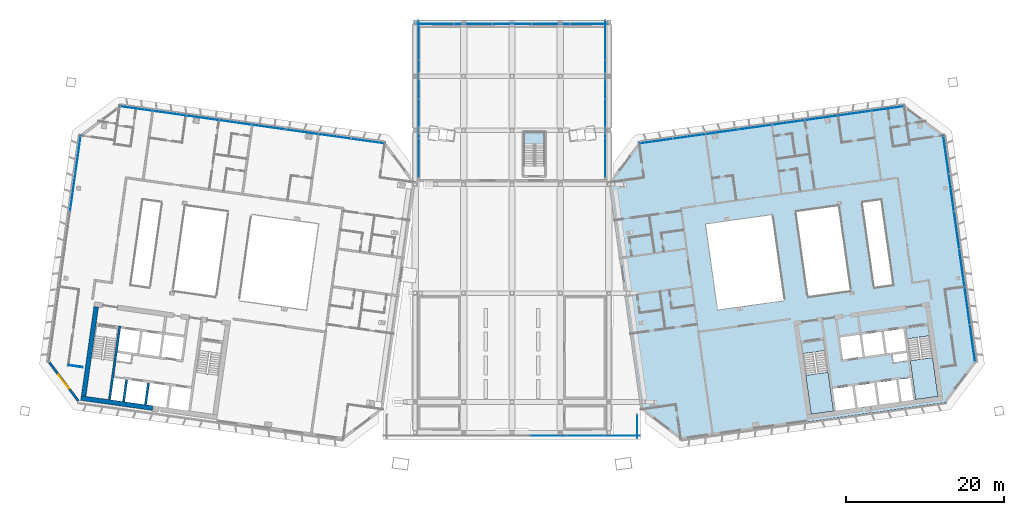
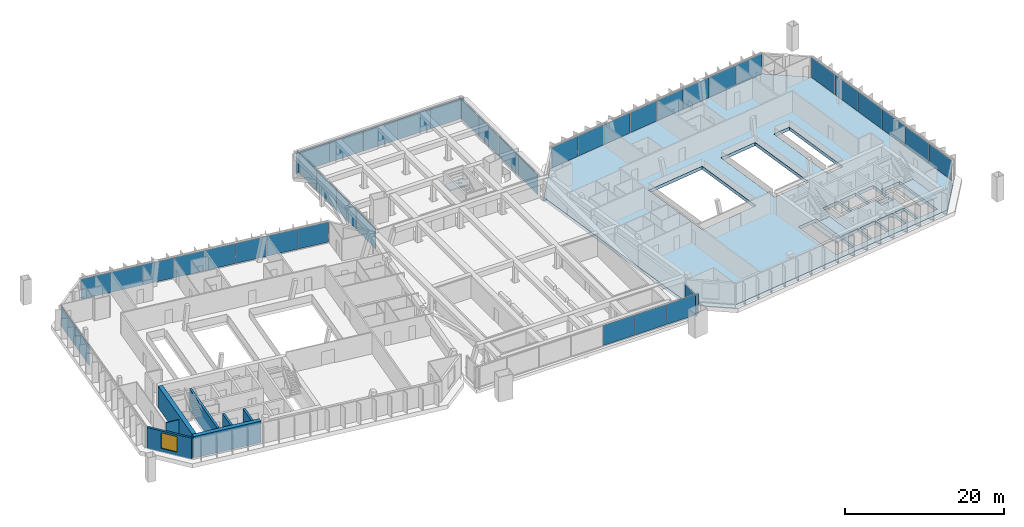
# One storey, part 14 of 25: 41 plates, 7 walls, 4 slabs, 1 window, 1 opening, 12 elements without a shape of their own.
"""IFC4 building model written with IfcOpenShell, lengths in metres."""

from ifc_helpers import new_model, si_unit, direction, frame, frame_2d, origin, origin_2d, place, context, subcontext, project, spatial, polyline, rectangle, outline, extrude, material, layer, layer_set, type_object, element, fill, aggregate, save


model = new_model("IFC4")

# Units and contexts
model_context = context("Model", 3, precision=1e-05, world=origin(), true_north=direction((0.0, 1.0)))
body_context = subcontext(model_context, "Body", "Model", "MODEL_VIEW")
ifc_project = project(units=[si_unit("LENGTHUNIT", "METRE"), si_unit("AREAUNIT", "SQUARE_METRE"), si_unit("VOLUMEUNIT", "CUBIC_METRE"), si_unit("PLANEANGLEUNIT", "RADIAN"), si_unit("MASSUNIT", "GRAM", prefix="KILO")], contexts=[model_context])

# Site, building, storey
site_placement = place(None, origin())
site = spatial("IfcSite", under=ifc_project, at=site_placement, CompositionType="ELEMENT")
building_placement = place(site_placement, origin())
building = spatial("IfcBuilding", under=site, at=building_placement, Name="Mirante Cascada Hotel Towers", CompositionType="ELEMENT")
storey_placement = place(building_placement, frame((0.0, 0.0, 266.0)))
storey = spatial("IfcBuildingStorey", under=building, at=storey_placement, Name="L64", CompositionType="ELEMENT", Elevation=266.0)

# Curtain wall, plates
ifc_material_1 = material(Name="Aluminium mullion and transom frame with clear laminated glass", Category="aluminium")
curtain_wall_type_1 = type_object("IfcCurtainWallType", Name="Ribbon curtain wall ECW1", PredefinedType="NOTDEFINED", material=ifc_material_1)
curtain_wall_1_placement = place(storey_placement, origin())
curtain_wall_1 = element("IfcCurtainWall", 1, at=curtain_wall_1_placement, inside=storey, type_object=curtain_wall_type_1, Name="Front ribbon wall T1 L64", PredefinedType="NOTDEFINED")
ifc_material_2 = material(Name="Clear laminated glass", Category="glass")
ifc_layer_1 = layer(ifc_material_2, 0.036)
ifc_layer_set_1 = layer_set([ifc_layer_1], Name="ECW1 glass panel 36")
plate_type_1 = type_object("IfcPlateType", Name="ECW1 glass panel 36", PredefinedType="CURTAIN_PANEL", material=ifc_layer_set_1)
plate_1_placement = place(storey_placement, frame((-47.4905, 19.4934, 0.1), z_axis=(0.0, 0.0, 1.0), x_axis=(0.9902681, -0.1391731, 0.0)))
plate_1 = element("IfcPlate", 2, at=plate_1_placement, type_object=plate_type_1, Name="ECW1 panel 1", PredefinedType="CURTAIN_PANEL", context=body_context, shape_type="SweptSolid", body=[
    extrude(rectangle(XDim=4.1226, YDim=0.036, at=origin_2d()), origin(), (0.0, 0.0, 1.0), 3.1),
])
plate_2_placement = place(storey_placement, frame((-43.3275, 18.9083, 0.1), z_axis=(0.0, 0.0, 1.0), x_axis=(0.9902681, -0.1391731, 0.0)))
plate_2 = element("IfcPlate", 3, at=plate_2_placement, type_object=plate_type_1, Name="ECW1 panel 2", PredefinedType="CURTAIN_PANEL", context=body_context, shape_type="SweptSolid", body=[
    extrude(rectangle(XDim=4.1551, YDim=0.036, at=origin_2d()), origin(), (0.0, 0.0, 1.0), 3.1),
])
plate_3_placement = place(storey_placement, frame((-39.1485, 18.321, 0.1), z_axis=(0.0, 0.0, 1.0), x_axis=(0.9902681, -0.1391731, 0.0)))
plate_3 = element("IfcPlate", 4, at=plate_3_placement, type_object=plate_type_1, Name="ECW1 panel 3", PredefinedType="CURTAIN_PANEL", context=body_context, shape_type="SweptSolid", body=[
    extrude(rectangle(XDim=4.1551, YDim=0.036, at=origin_2d()), origin(), (0.0, 0.0, 1.0), 3.1),
])
plate_4_placement = place(storey_placement, frame((-34.9694, 17.7337, 0.1), z_axis=(0.0, 0.0, 1.0), x_axis=(0.9902681, -0.1391731, 0.0)))
plate_4 = element("IfcPlate", 5, at=plate_4_placement, type_object=plate_type_1, Name="ECW1 panel 4", PredefinedType="CURTAIN_PANEL", context=body_context, shape_type="SweptSolid", body=[
    extrude(rectangle(XDim=4.1551, YDim=0.036, at=origin_2d()), origin(), (0.0, 0.0, 1.0), 3.1),
])
plate_5_placement = place(storey_placement, frame((-30.7904, 17.1463, 0.1), z_axis=(0.0, 0.0, 1.0), x_axis=(0.9902681, -0.1391731, 0.0)))
plate_5 = element("IfcPlate", 6, at=plate_5_placement, type_object=plate_type_1, Name="ECW1 panel 5", PredefinedType="CURTAIN_PANEL", context=body_context, shape_type="SweptSolid", body=[
    extrude(rectangle(XDim=4.1551, YDim=0.036, at=origin_2d()), origin(), (0.0, 0.0, 1.0), 3.1),
])
plate_6_placement = place(storey_placement, frame((-26.6113, 16.559, 0.1), z_axis=(0.0, 0.0, 1.0), x_axis=(0.9902681, -0.1391731, 0.0)))
plate_6 = element("IfcPlate", 7, at=plate_6_placement, type_object=plate_type_1, Name="ECW1 panel 6", PredefinedType="CURTAIN_PANEL", context=body_context, shape_type="SweptSolid", body=[
    extrude(rectangle(XDim=4.1551, YDim=0.036, at=origin_2d()), origin(), (0.0, 0.0, 1.0), 3.1),
])
plate_7_placement = place(storey_placement, frame((-22.4323, 15.9717, 0.1), z_axis=(0.0, 0.0, 1.0), x_axis=(0.9902681, -0.1391731, 0.0)))
plate_7 = element("IfcPlate", 8, at=plate_7_placement, type_object=plate_type_1, Name="ECW1 panel 7", PredefinedType="CURTAIN_PANEL", context=body_context, shape_type="SweptSolid", body=[
    extrude(rectangle(XDim=4.1551, YDim=0.036, at=origin_2d()), origin(), (0.0, 0.0, 1.0), 3.1),
])
plate_8_placement = place(storey_placement, frame((-18.2693, 15.3866, 0.1), z_axis=(0.0, 0.0, 1.0), x_axis=(0.9902681, -0.1391731, 0.0)))
plate_8 = element("IfcPlate", 9, at=plate_8_placement, type_object=plate_type_1, Name="ECW1 panel 8", PredefinedType="CURTAIN_PANEL", context=body_context, shape_type="SweptSolid", body=[
    extrude(rectangle(XDim=4.1226, YDim=0.036, at=origin_2d()), origin(), (0.0, 0.0, 1.0), 3.1),
])
aggregate(curtain_wall_1, [plate_1, plate_2, plate_3, plate_4, plate_5, plate_6, plate_7, plate_8])

curtain_wall_2_placement = place(storey_placement, origin())
curtain_wall_2 = element("IfcCurtainWall", 10, at=curtain_wall_2_placement, inside=storey, type_object=curtain_wall_type_1, Name="Front ribbon wall T2 L64", PredefinedType="NOTDEFINED")
plate_9_placement = place(storey_placement, frame((47.4905, 19.4934, 0.1), z_axis=(0.0, 0.0, 1.0), x_axis=(-0.9902681, -0.1391731, 0.0)))
plate_9 = element("IfcPlate", 11, at=plate_9_placement, type_object=plate_type_1, Name="ECW1 panel 1", PredefinedType="CURTAIN_PANEL", context=body_context, shape_type="SweptSolid", body=[
    extrude(rectangle(XDim=4.1226, YDim=0.036, at=origin_2d()), origin(), (0.0, 0.0, 1.0), 3.1),
])
plate_10_placement = place(storey_placement, frame((43.3275, 18.9083, 0.1), z_axis=(0.0, 0.0, 1.0), x_axis=(-0.9902681, -0.1391731, 0.0)))
plate_10 = element("IfcPlate", 12, at=plate_10_placement, type_object=plate_type_1, Name="ECW1 panel 2", PredefinedType="CURTAIN_PANEL", context=body_context, shape_type="SweptSolid", body=[
    extrude(rectangle(XDim=4.1551, YDim=0.036, at=origin_2d()), origin(), (0.0, 0.0, 1.0), 3.1),
])
plate_11_placement = place(storey_placement, frame((39.1485, 18.321, 0.1), z_axis=(0.0, 0.0, 1.0), x_axis=(-0.9902681, -0.1391731, 0.0)))
plate_11 = element("IfcPlate", 13, at=plate_11_placement, type_object=plate_type_1, Name="ECW1 panel 3", PredefinedType="CURTAIN_PANEL", context=body_context, shape_type="SweptSolid", body=[
    extrude(rectangle(XDim=4.1551, YDim=0.036, at=origin_2d()), origin(), (0.0, 0.0, 1.0), 3.1),
])
plate_12_placement = place(storey_placement, frame((34.9694, 17.7337, 0.1), z_axis=(0.0, 0.0, 1.0), x_axis=(-0.9902681, -0.1391731, 0.0)))
plate_12 = element("IfcPlate", 14, at=plate_12_placement, type_object=plate_type_1, Name="ECW1 panel 4", PredefinedType="CURTAIN_PANEL", context=body_context, shape_type="SweptSolid", body=[
    extrude(rectangle(XDim=4.1551, YDim=0.036, at=origin_2d()), origin(), (0.0, 0.0, 1.0), 3.1),
])
plate_13_placement = place(storey_placement, frame((30.7904, 17.1463, 0.1), z_axis=(0.0, 0.0, 1.0), x_axis=(-0.9902681, -0.1391731, 0.0)))
plate_13 = element("IfcPlate", 15, at=plate_13_placement, type_object=plate_type_1, Name="ECW1 panel 5", PredefinedType="CURTAIN_PANEL", context=body_context, shape_type="SweptSolid", body=[
    extrude(rectangle(XDim=4.1551, YDim=0.036, at=origin_2d()), origin(), (0.0, 0.0, 1.0), 3.1),
])
plate_14_placement = place(storey_placement, frame((26.6113, 16.559, 0.1), z_axis=(0.0, 0.0, 1.0), x_axis=(-0.9902681, -0.1391731, 0.0)))
plate_14 = element("IfcPlate", 16, at=plate_14_placement, type_object=plate_type_1, Name="ECW1 panel 6", PredefinedType="CURTAIN_PANEL", context=body_context, shape_type="SweptSolid", body=[
    extrude(rectangle(XDim=4.1551, YDim=0.036, at=origin_2d()), origin(), (0.0, 0.0, 1.0), 3.1),
])
plate_15_placement = place(storey_placement, frame((22.4323, 15.9717, 0.1), z_axis=(0.0, 0.0, 1.0), x_axis=(-0.9902681, -0.1391731, 0.0)))
plate_15 = element("IfcPlate", 17, at=plate_15_placement, type_object=plate_type_1, Name="ECW1 panel 7", PredefinedType="CURTAIN_PANEL", context=body_context, shape_type="SweptSolid", body=[
    extrude(rectangle(XDim=4.1551, YDim=0.036, at=origin_2d()), origin(), (0.0, 0.0, 1.0), 3.1),
])
plate_16_placement = place(storey_placement, frame((18.2693, 15.3866, 0.1), z_axis=(0.0, 0.0, 1.0), x_axis=(-0.9902681, -0.1391731, 0.0)))
plate_16 = element("IfcPlate", 18, at=plate_16_placement, type_object=plate_type_1, Name="ECW1 panel 8", PredefinedType="CURTAIN_PANEL", context=body_context, shape_type="SweptSolid", body=[
    extrude(rectangle(XDim=4.1226, YDim=0.036, at=origin_2d()), origin(), (0.0, 0.0, 1.0), 3.1),
])
aggregate(curtain_wall_2, [plate_9, plate_10, plate_11, plate_12, plate_13, plate_14, plate_15, plate_16])

ifc_material_3 = material(Name="Aluminium mullion and transom frame with clear laminated glass", Category="aluminium")
curtain_wall_type_2 = type_object("IfcCurtainWallType", Name="End ribbon curtain wall ECW2", PredefinedType="NOTDEFINED", material=ifc_material_3)
curtain_wall_3_placement = place(storey_placement, origin())
curtain_wall_3 = element("IfcCurtainWall", 19, at=curtain_wall_3_placement, inside=storey, type_object=curtain_wall_type_2, Name="Outer end wall T1 L64", PredefinedType="NOTDEFINED")
ifc_material_4 = material(Name="Clear laminated glass", Category="glass")
ifc_layer_2 = layer(ifc_material_4, 0.034)
ifc_layer_set_2 = layer_set([ifc_layer_2], Name="ECW2 glass panel 34")
plate_type_2 = type_object("IfcPlateType", Name="ECW2 glass panel 34", PredefinedType="CURTAIN_PANEL", material=ifc_layer_set_2)
plate_17_placement = place(storey_placement, frame((-55.584, 8.8855, 0.1), z_axis=(0.0, 0.0, 1.0), x_axis=(0.1391731, 0.9902681, 0.0)))
plate_17 = element("IfcPlate", 20, at=plate_17_placement, type_object=plate_type_2, Name="ECW2 panel 5", PredefinedType="CURTAIN_PANEL", context=body_context, shape_type="SweptSolid", body=[
    extrude(rectangle(XDim=4.7476, YDim=0.034, at=origin_2d()), origin(), (0.0, 0.0, 1.0), 3.1),
])
plate_18_placement = place(storey_placement, frame((-54.9165, 13.6352, 0.1), z_axis=(0.0, 0.0, 1.0), x_axis=(0.1391731, 0.9902681, 0.0)))
plate_18 = element("IfcPlate", 21, at=plate_18_placement, type_object=plate_type_2, Name="ECW2 panel 6", PredefinedType="CURTAIN_PANEL", context=body_context, shape_type="SweptSolid", body=[
    extrude(rectangle(XDim=4.7151, YDim=0.034, at=origin_2d()), origin(), (0.0, 0.0, 1.0), 3.1),
])
aggregate(curtain_wall_3, [plate_17, plate_18])

curtain_wall_4_placement = place(storey_placement, origin())
curtain_wall_4 = element("IfcCurtainWall", 22, at=curtain_wall_4_placement, inside=storey, type_object=curtain_wall_type_2, Name="Outer end wall T2 L64", PredefinedType="NOTDEFINED")
plate_19_placement = place(storey_placement, frame((58.2609, -10.1616, 0.1), z_axis=(0.0, 0.0, 1.0), x_axis=(-0.1391731, 0.9902681, 0.0)))
plate_19 = element("IfcPlate", 23, at=plate_19_placement, type_object=plate_type_2, Name="ECW2 panel 1", PredefinedType="CURTAIN_PANEL", context=body_context, shape_type="SweptSolid", body=[
    extrude(rectangle(XDim=4.7151, YDim=0.034, at=origin_2d()), origin(), (0.0, 0.0, 1.0), 3.1),
])
plate_20_placement = place(storey_placement, frame((57.5934, -5.4119, 0.1), z_axis=(0.0, 0.0, 1.0), x_axis=(-0.1391731, 0.9902681, 0.0)))
plate_20 = element("IfcPlate", 24, at=plate_20_placement, type_object=plate_type_2, Name="ECW2 panel 2", PredefinedType="CURTAIN_PANEL", context=body_context, shape_type="SweptSolid", body=[
    extrude(rectangle(XDim=4.7476, YDim=0.034, at=origin_2d()), origin(), (0.0, 0.0, 1.0), 3.1),
])
plate_21_placement = place(storey_placement, frame((56.9236, -0.6461, 0.1), z_axis=(0.0, 0.0, 1.0), x_axis=(-0.1391731, 0.9902681, 0.0)))
plate_21 = element("IfcPlate", 25, at=plate_21_placement, type_object=plate_type_2, Name="ECW2 panel 3", PredefinedType="CURTAIN_PANEL", context=body_context, shape_type="SweptSolid", body=[
    extrude(rectangle(XDim=4.7476, YDim=0.034, at=origin_2d()), origin(), (0.0, 0.0, 1.0), 3.1),
])
plate_22_placement = place(storey_placement, frame((56.2538, 4.1197, 0.1), z_axis=(0.0, 0.0, 1.0), x_axis=(-0.1391731, 0.9902681, 0.0)))
plate_22 = element("IfcPlate", 26, at=plate_22_placement, type_object=plate_type_2, Name="ECW2 panel 4", PredefinedType="CURTAIN_PANEL", context=body_context, shape_type="SweptSolid", body=[
    extrude(rectangle(XDim=4.7476, YDim=0.034, at=origin_2d()), origin(), (0.0, 0.0, 1.0), 3.1),
])
plate_23_placement = place(storey_placement, frame((55.584, 8.8855, 0.1), z_axis=(0.0, 0.0, 1.0), x_axis=(-0.1391731, 0.9902681, 0.0)))
plate_23 = element("IfcPlate", 27, at=plate_23_placement, type_object=plate_type_2, Name="ECW2 panel 5", PredefinedType="CURTAIN_PANEL", context=body_context, shape_type="SweptSolid", body=[
    extrude(rectangle(XDim=4.7476, YDim=0.034, at=origin_2d()), origin(), (0.0, 0.0, 1.0), 3.1),
])
plate_24_placement = place(storey_placement, frame((54.9165, 13.6352, 0.1), z_axis=(0.0, 0.0, 1.0), x_axis=(-0.1391731, 0.9902681, 0.0)))
plate_24 = element("IfcPlate", 28, at=plate_24_placement, type_object=plate_type_2, Name="ECW2 panel 6", PredefinedType="CURTAIN_PANEL", context=body_context, shape_type="SweptSolid", body=[
    extrude(rectangle(XDim=4.7151, YDim=0.034, at=origin_2d()), origin(), (0.0, 0.0, 1.0), 3.1),
])
aggregate(curtain_wall_4, [plate_19, plate_20, plate_21, plate_22, plate_23, plate_24])

# Curtain wall, plate
ifc_material_5 = material(Name="Aluminium mullion and transom frame with clear laminated glass", Category="aluminium")
curtain_wall_type_3 = type_object("IfcCurtainWallType", Name="Sky park deck curtain wall ECW5", PredefinedType="NOTDEFINED", material=ifc_material_5)
curtain_wall_5_placement = place(storey_placement, origin())
curtain_wall_5 = element("IfcCurtainWall", 29, at=curtain_wall_5_placement, inside=storey, type_object=curtain_wall_type_3, Name="Sky park glazing L64 run 2", PredefinedType="NOTDEFINED")
ifc_material_6 = material(Name="Clear laminated glass", Category="glass")
ifc_layer_3 = layer(ifc_material_6, 0.032)
ifc_layer_set_3 = layer_set([ifc_layer_3], Name="ECW5 glass panel 32")
plate_type_3 = type_object("IfcPlateType", Name="ECW5 glass panel 32", PredefinedType="CURTAIN_PANEL", material=ifc_layer_set_3)
plate_25_placement = place(storey_placement, frame((15.8374, -20.7608, 0.09), z_axis=(0.0, 0.0, 1.0), x_axis=(0.0, 1.0, 0.0)))
plate_25 = element("IfcPlate", 30, at=plate_25_placement, type_object=plate_type_3, Name="ECW5 panel 1", PredefinedType="CURTAIN_PANEL", context=body_context, shape_type="SweptSolid", body=[
    extrude(rectangle(XDim=3.0622, YDim=0.032, at=origin_2d()), origin(), (0.0, 0.0, 1.0), 3.12),
])
aggregate(curtain_wall_5, [plate_25])

# Curtain wall, plates
curtain_wall_6_placement = place(storey_placement, origin())
curtain_wall_6 = element("IfcCurtainWall", 31, at=curtain_wall_6_placement, inside=storey, type_object=curtain_wall_type_3, Name="Sky park glazing L64 run 1", PredefinedType="NOTDEFINED")
ifc_material_7 = material(Name="Insulated aluminium spandrel panel", Category="aluminium")
ifc_layer_4 = layer(ifc_material_7, 0.032)
ifc_layer_set_4 = layer_set([ifc_layer_4], Name="ECW5 spandrel panel 32")
plate_type_4 = type_object("IfcPlateType", Name="ECW5 spandrel panel 32", PredefinedType="CURTAIN_PANEL", material=ifc_layer_set_4)
plate_26_placement = place(storey_placement, frame((4.6535, -21.9019, 0.09), z_axis=(0.0, 0.0, 1.0), x_axis=(1.0, 0.0, 0.0)))
plate_26 = element("IfcPlate", 32, at=plate_26_placement, type_object=plate_type_4, Name="ECW5 panel 5", PredefinedType="CURTAIN_PANEL", context=body_context, shape_type="SweptSolid", body=[
    extrude(rectangle(XDim=4.5935, YDim=0.032, at=origin_2d()), origin(), (0.0, 0.0, 1.0), 3.12),
])
plate_27_placement = place(storey_placement, frame((9.3071, -21.9019, 0.09), z_axis=(0.0, 0.0, 1.0), x_axis=(1.0, 0.0, 0.0)))
plate_27 = element("IfcPlate", 33, at=plate_27_placement, type_object=plate_type_4, Name="ECW5 panel 6", PredefinedType="CURTAIN_PANEL", context=body_context, shape_type="SweptSolid", body=[
    extrude(rectangle(XDim=4.5935, YDim=0.032, at=origin_2d()), origin(), (0.0, 0.0, 1.0), 3.12),
])
plate_28_placement = place(storey_placement, frame((13.9456, -21.9019, 0.09), z_axis=(0.0, 0.0, 1.0), x_axis=(1.0, 0.0, 0.0)))
plate_28 = element("IfcPlate", 34, at=plate_28_placement, type_object=plate_type_4, Name="ECW5 panel 7", PredefinedType="CURTAIN_PANEL", context=body_context, shape_type="SweptSolid", body=[
    extrude(rectangle(XDim=4.5635, YDim=0.032, at=origin_2d()), origin(), (0.0, 0.0, 1.0), 3.12),
])
aggregate(curtain_wall_6, [plate_26, plate_27, plate_28])

curtain_wall_7_placement = place(storey_placement, origin())
curtain_wall_7 = element("IfcCurtainWall", 35, at=curtain_wall_7_placement, inside=storey, type_object=curtain_wall_type_3, Name="Sky park glazing L64 run 3", PredefinedType="NOTDEFINED")
plate_29_placement = place(storey_placement, frame((11.8014, 13.2506, 0.09), z_axis=(0.0, 0.0, 1.0), x_axis=(0.0, 1.0, 0.0)))
plate_29 = element("IfcPlate", 36, at=plate_29_placement, type_object=plate_type_4, Name="ECW5 panel 1", PredefinedType="CURTAIN_PANEL", context=body_context, shape_type="SweptSolid", body=[
    extrude(rectangle(XDim=4.885, YDim=0.032, at=origin_2d()), origin(), (0.0, 0.0, 1.0), 3.12),
])
plate_30_placement = place(storey_placement, frame((11.8014, 18.2106, 0.09), z_axis=(0.0, 0.0, 1.0), x_axis=(0.0, 1.0, 0.0)))
plate_30 = element("IfcPlate", 37, at=plate_30_placement, type_object=plate_type_4, Name="ECW5 panel 2", PredefinedType="CURTAIN_PANEL", context=body_context, shape_type="SweptSolid", body=[
    extrude(rectangle(XDim=4.915, YDim=0.032, at=origin_2d()), origin(), (0.0, 0.0, 1.0), 3.12),
])
plate_31_placement = place(storey_placement, frame((11.8014, 23.1856, 0.09), z_axis=(0.0, 0.0, 1.0), x_axis=(0.0, 1.0, 0.0)))
plate_31 = element("IfcPlate", 38, at=plate_31_placement, type_object=plate_type_4, Name="ECW5 panel 3", PredefinedType="CURTAIN_PANEL", context=body_context, shape_type="SweptSolid", body=[
    extrude(rectangle(XDim=4.915, YDim=0.032, at=origin_2d()), origin(), (0.0, 0.0, 1.0), 3.12),
])
plate_32_placement = place(storey_placement, frame((11.8014, 28.1456, 0.09), z_axis=(0.0, 0.0, 1.0), x_axis=(0.0, 1.0, 0.0)))
plate_32 = element("IfcPlate", 39, at=plate_32_placement, type_object=plate_type_4, Name="ECW5 panel 4", PredefinedType="CURTAIN_PANEL", context=body_context, shape_type="SweptSolid", body=[
    extrude(rectangle(XDim=4.885, YDim=0.032, at=origin_2d()), origin(), (0.0, 0.0, 1.0), 3.12),
])
aggregate(curtain_wall_7, [plate_29, plate_30, plate_31, plate_32])

curtain_wall_8_placement = place(storey_placement, origin())
curtain_wall_8 = element("IfcCurtainWall", 40, at=curtain_wall_8_placement, inside=storey, type_object=curtain_wall_type_3, Name="Sky park glazing L64 run 4", PredefinedType="NOTDEFINED")
plate_33_placement = place(storey_placement, frame((9.7861, 30.1981, 0.09), z_axis=(0.0, 0.0, 1.0), x_axis=(-1.0, 0.0, 0.0)))
plate_33 = element("IfcPlate", 41, at=plate_33_placement, type_object=plate_type_4, Name="ECW5 panel 1", PredefinedType="CURTAIN_PANEL", context=body_context, shape_type="SweptSolid", body=[
    extrude(rectangle(XDim=4.8105, YDim=0.032, at=origin_2d()), origin(), (0.0, 0.0, 1.0), 3.12),
])
plate_34_placement = place(storey_placement, frame((4.9005, 30.1981, 0.09), z_axis=(0.0, 0.0, 1.0), x_axis=(-1.0, 0.0, 0.0)))
plate_34 = element("IfcPlate", 42, at=plate_34_placement, type_object=plate_type_4, Name="ECW5 panel 2", PredefinedType="CURTAIN_PANEL", context=body_context, shape_type="SweptSolid", body=[
    extrude(rectangle(XDim=4.8405, YDim=0.032, at=origin_2d()), origin(), (0.0, 0.0, 1.0), 3.12),
])
plate_35_placement = place(storey_placement, frame((0.0, 30.1981, 0.09), z_axis=(0.0, 0.0, 1.0), x_axis=(-1.0, 0.0, 0.0)))
plate_35 = element("IfcPlate", 43, at=plate_35_placement, type_object=plate_type_4, Name="ECW5 panel 3", PredefinedType="CURTAIN_PANEL", context=body_context, shape_type="SweptSolid", body=[
    extrude(rectangle(XDim=4.8405, YDim=0.032, at=origin_2d()), origin(), (0.0, 0.0, 1.0), 3.12),
])
plate_36_placement = place(storey_placement, frame((-4.9005, 30.1981, 0.09), z_axis=(0.0, 0.0, 1.0), x_axis=(-1.0, 0.0, 0.0)))
plate_36 = element("IfcPlate", 44, at=plate_36_placement, type_object=plate_type_4, Name="ECW5 panel 4", PredefinedType="CURTAIN_PANEL", context=body_context, shape_type="SweptSolid", body=[
    extrude(rectangle(XDim=4.8405, YDim=0.032, at=origin_2d()), origin(), (0.0, 0.0, 1.0), 3.12),
])
plate_37_placement = place(storey_placement, frame((-9.7861, 30.1981, 0.09), z_axis=(0.0, 0.0, 1.0), x_axis=(-1.0, 0.0, 0.0)))
plate_37 = element("IfcPlate", 45, at=plate_37_placement, type_object=plate_type_4, Name="ECW5 panel 5", PredefinedType="CURTAIN_PANEL", context=body_context, shape_type="SweptSolid", body=[
    extrude(rectangle(XDim=4.8105, YDim=0.032, at=origin_2d()), origin(), (0.0, 0.0, 1.0), 3.12),
])
aggregate(curtain_wall_8, [plate_33, plate_34, plate_35, plate_36, plate_37])

curtain_wall_9_placement = place(storey_placement, origin())
curtain_wall_9 = element("IfcCurtainWall", 46, at=curtain_wall_9_placement, inside=storey, type_object=curtain_wall_type_3, Name="Sky park glazing L64 run 5", PredefinedType="NOTDEFINED")
plate_38_placement = place(storey_placement, frame((-11.8014, 28.1456, 0.09), z_axis=(0.0, 0.0, 1.0), x_axis=(0.0, -1.0, 0.0)))
plate_38 = element("IfcPlate", 47, at=plate_38_placement, type_object=plate_type_4, Name="ECW5 panel 1", PredefinedType="CURTAIN_PANEL", context=body_context, shape_type="SweptSolid", body=[
    extrude(rectangle(XDim=4.885, YDim=0.032, at=origin_2d()), origin(), (0.0, 0.0, 1.0), 3.12),
])
plate_39_placement = place(storey_placement, frame((-11.8014, 23.1856, 0.09), z_axis=(0.0, 0.0, 1.0), x_axis=(0.0, -1.0, 0.0)))
plate_39 = element("IfcPlate", 48, at=plate_39_placement, type_object=plate_type_4, Name="ECW5 panel 2", PredefinedType="CURTAIN_PANEL", context=body_context, shape_type="SweptSolid", body=[
    extrude(rectangle(XDim=4.915, YDim=0.032, at=origin_2d()), origin(), (0.0, 0.0, 1.0), 3.12),
])
plate_40_placement = place(storey_placement, frame((-11.8014, 18.2106, 0.09), z_axis=(0.0, 0.0, 1.0), x_axis=(0.0, -1.0, 0.0)))
plate_40 = element("IfcPlate", 49, at=plate_40_placement, type_object=plate_type_4, Name="ECW5 panel 3", PredefinedType="CURTAIN_PANEL", context=body_context, shape_type="SweptSolid", body=[
    extrude(rectangle(XDim=4.915, YDim=0.032, at=origin_2d()), origin(), (0.0, 0.0, 1.0), 3.12),
])
plate_41_placement = place(storey_placement, frame((-11.8014, 13.2506, 0.09), z_axis=(0.0, 0.0, 1.0), x_axis=(0.0, -1.0, 0.0)))
plate_41 = element("IfcPlate", 50, at=plate_41_placement, type_object=plate_type_4, Name="ECW5 panel 4", PredefinedType="CURTAIN_PANEL", context=body_context, shape_type="SweptSolid", body=[
    extrude(rectangle(XDim=4.885, YDim=0.032, at=origin_2d()), origin(), (0.0, 0.0, 1.0), 3.12),
])
aggregate(curtain_wall_9, [plate_38, plate_39, plate_40, plate_41])

# Stair, slab
ifc_material_8 = material(Name="Concrete C35/45", Category="concrete")
stair_type_1 = type_object("IfcStairType", Name="Exit stair half-turn 1350 concrete C35/45", PredefinedType="HALF_TURN_STAIR", material=ifc_material_8)
stair_1_placement = place(storey_placement, origin())
stair_1 = element("IfcStair", 51, at=stair_1_placement, inside=storey, type_object=stair_type_1, Name="L64 Exit stair A", PredefinedType="HALF_TURN_STAIR")
ifc_material_9 = material(Name="Concrete C35/45", Category="concrete")
ifc_layer_5 = layer(ifc_material_9, 0.2)
ifc_layer_set_5 = layer_set([ifc_layer_5], Name="Exit stair landing 200 concrete C35/45")
slab_type_1 = type_object("IfcSlabType", Name="Exit stair landing 200 concrete C35/45", PredefinedType="LANDING", material=ifc_layer_set_5)
slab_1_placement = place(storey_placement, frame((0.0, 0.0, 1.7)))
slab_1 = element("IfcSlab", 52, at=slab_1_placement, type_object=slab_type_1, Name="ST2-A landing 1", PredefinedType="LANDING", context=body_context, shape_type="SweptSolid", body=[
    extrude(outline(polyline([(37.1765, -14.2626), (37.8665, -19.1723), (40.6887, -18.7757), (39.9987, -13.8659), (37.1765, -14.2626)])), origin(), (0.0, 0.0, 1.0), 0.2),
])
aggregate(stair_1, [slab_1])

stair_2_placement = place(storey_placement, origin())
stair_2 = element("IfcStair", 53, at=stair_2_placement, inside=storey, type_object=stair_type_1, Name="L64 Exit stair B", PredefinedType="HALF_TURN_STAIR")
slab_2_placement = place(storey_placement, frame((0.0, 0.0, 1.7)))
slab_2 = element("IfcSlab", 54, at=slab_2_placement, type_object=slab_type_1, Name="ST2-B landing 1", PredefinedType="LANDING", context=body_context, shape_type="SweptSolid", body=[
    extrude(outline(polyline([(50.3965, -12.4046), (51.0866, -17.3144), (53.9088, -16.9177), (53.2188, -12.008), (50.3965, -12.4046)])), origin(), (0.0, 0.0, 1.0), 0.2),
])
aggregate(stair_2, [slab_2])

ifc_material_10 = material(Name="Concrete C35/45", Category="concrete")
stair_type_2 = type_object("IfcStairType", Name="Exit stair half-turn 1250 concrete C35/45", PredefinedType="HALF_TURN_STAIR", material=ifc_material_10)
stair_3_placement = place(storey_placement, origin())
stair_3 = element("IfcStair", 55, at=stair_3_placement, inside=storey, type_object=stair_type_2, Name="L64 Roof garden stair", PredefinedType="HALF_TURN_STAIR")
slab_3_placement = place(storey_placement, frame((0.0, 0.0, 1.7)))
slab_3 = element("IfcSlab", 56, at=slab_3_placement, type_object=slab_type_1, Name="ST-RG landing 1", PredefinedType="LANDING", context=body_context, shape_type="SweptSolid", body=[
    extrude(outline(polyline([(4.15, 15.052), (4.15, 16.51), (1.5, 16.51), (1.5, 15.052), (4.15, 15.052)])), origin(), (0.0, 0.0, 1.0), 0.2),
])
aggregate(stair_3, [slab_3])

# Slab
ifc_material_11 = material(Name="Concrete C40/50", Category="concrete")
ifc_layer_6 = layer(ifc_material_11, 0.5)
ifc_layer_set_6 = layer_set([ifc_layer_6], Name="Post-tensioned flat plate 500 Concrete C40/50")
slab_type_2 = type_object("IfcSlabType", Name="Post-tensioned flat plate 500 Concrete C40/50", PredefinedType="FLOOR", material=ifc_layer_set_6)
slab_4_placement = place(storey_placement, frame((0.0, 0.0, -0.5)))
element("IfcSlab", 57, at=slab_4_placement, inside=storey, type_object=slab_type_2, Name="Floor T2 L64", PredefinedType="FLOOR", context=body_context, shape_type="SweptSolid", body=[
    extrude(outline(polyline([(16.2874, -18.5697), (12.2514, 10.1481), (16.0813, 15.2306), (49.6367, 19.9465), (54.7192, 16.1166), (58.7552, -12.6012), (54.9253, -17.6837), (21.3699, -22.3996), (16.2874, -18.5697)]), holes=[polyline([(40.5961, -15.9612), (40.9858, -18.7339), (43.4615, -18.386), (43.0718, -15.6132), (40.5961, -15.9612)]), polyline([(43.3689, -15.5715), (43.7586, -18.3442), (46.2342, -17.9963), (45.8446, -15.2236), (43.3689, -15.5715)]), polyline([(40.6887, -18.7757), (39.611, -11.107), (36.7887, -11.5037), (37.8665, -19.1723), (40.6887, -18.7757)]), polyline([(43.9775, -9.124), (41.5018, -9.472), (41.8915, -12.2447), (44.3672, -11.8968), (43.9775, -9.124)]), polyline([(46.7503, -8.7344), (44.2746, -9.0823), (44.6643, -11.855), (47.1399, -11.5071), (46.7503, -8.7344)]), polyline([(26.017, -5.9932), (24.4861, 4.8998), (32.9592, 6.0906), (34.4901, -4.8024), (26.017, -5.9932)]), polyline([(37.4629, -4.3846), (37.4629, -4.3846), (35.932, 6.5084), (41.3481, 7.2696), (42.879, -3.6234), (42.879, -3.6234), (37.4629, -4.3846)]), polyline([(46.7671, 8.0312), (48.298, -2.8618), (45.8518, -3.2056), (45.8518, -3.2056), (44.3208, 7.6874), (46.7671, 8.0312)]), polyline([(48.6173, -14.8339), (46.1416, -15.1818), (46.5313, -17.9546), (49.007, -17.6066), (48.6173, -14.8339)]), polyline([(50.3998, -14.5834), (48.9144, -14.7921), (49.3041, -17.5649), (50.7895, -17.3561), (50.3998, -14.5834)]), polyline([(53.9088, -16.9177), (52.8311, -9.2491), (50.0088, -9.6457), (51.0866, -17.3144), (53.9088, -16.9177)]), polyline([(49.9544, -11.4145), (48.1472, -11.6685), (48.2829, -12.634), (50.0901, -12.38), (49.9544, -11.4145)]), polyline([(49.523, -8.3447), (47.0473, -8.6926), (47.437, -11.4654), (49.9127, -11.1174), (49.523, -8.3447)])]), origin(), (0.0, 0.0, 1.0), 0.5),
])

# Wall
ifc_material_12 = material(Name="Plasterboard on metal studs")
ifc_layer_7 = layer(ifc_material_12, 0.1)
ifc_layer_set_7 = layer_set([ifc_layer_7], Name="Partition 100")
wall_type_1 = type_object("IfcWallType", Name="Partition 100", PredefinedType="PARTITIONING", material=ifc_layer_set_7)
wall_1_placement = place(storey_placement, frame((-56.0914, -12.9756, 0.0), z_axis=(0.0, 0.0, 1.0), x_axis=(0.9902685, -0.1391702, 0.0)))
element("IfcWall", 58, at=wall_1_placement, inside=storey, type_object=wall_type_1, Name="Wall 1-L64-02", PredefinedType="PARTITIONING", context=body_context, shape_type="SweptSolid", body=[
    extrude(rectangle(XDim=1.81, YDim=0.1, at=frame_2d((0.905, 0.0))), origin(), (0.0, 0.0, 1.0), 3.3),
])

# Wall, opening, window
ifc_material_13 = material(Name="Precast concrete C40/50", Category="concrete")
ifc_layer_8 = layer(ifc_material_13, 0.3)
ifc_layer_set_8 = layer_set([ifc_layer_8], Name="Precast concrete C40/50 cladding wall 300")
wall_type_2 = type_object("IfcWallType", Name="Precast concrete C40/50 cladding wall 300", PredefinedType="STANDARD", material=ifc_layer_set_8)
wall_2_placement = place(storey_placement, frame((-54.8802, -17.4943, 0.0), z_axis=(0.0, 0.0, 1.0), x_axis=(-0.6018141, 0.7986362, 0.0)))
wall_2 = element("IfcWall", 59, at=wall_2_placement, inside=storey, type_object=wall_type_2, Name="Corner cladding wall T1 L64 rear outer", PredefinedType="STANDARD", context=body_context, shape_type="SweptSolid", body=[
    extrude(rectangle(XDim=6.1157, YDim=0.3, at=frame_2d((3.0578, 0.0))), origin(), (0.0, 0.0, 1.0), 3.3),
])
opening_placement = place(wall_2_placement, frame((1.9578, 0.0, 0.6)))
opening = element("IfcOpeningElement", 60, at=opening_placement, cuts=wall_2, Name="Opening W1-64-05", PredefinedType="OPENING", context=body_context, shape_type="SweptSolid", body=[
    extrude(rectangle(XDim=2.2, YDim=2.4, at=frame_2d((1.1, 1.2))), frame((0.0, 0.15, 0.0), z_axis=(0.0, -1.0, 0.0), x_axis=(1.0, 0.0, 0.0)), (0.0, 0.0, 1.0), 0.3),
])
ifc_material_14 = material(Name="Aluminium frame with clear double glazing", Category="aluminium")
window_type = type_object("IfcWindowType", Name="Corner suite window 2200x2400", PartitioningType="DOUBLE_PANEL_VERTICAL", PredefinedType="WINDOW", material=ifc_material_14)
window_placement = place(opening_placement, origin())
window = element("IfcWindow", 61, at=window_placement, inside=storey, type_object=window_type, Name="Window W1-64-05", OverallHeight=2.4, OverallWidth=2.2, PartitioningType="SINGLE_PANEL", PredefinedType="WINDOW", context=body_context, shape_type="SweptSolid", body=[
    extrude(rectangle(XDim=2.2, YDim=2.4, at=frame_2d((1.1, 1.2))), frame((0.0, 0.03, 0.0), z_axis=(0.0, -1.0, 0.0), x_axis=(1.0, 0.0, 0.0)), (0.0, 0.0, 1.0), 0.06),
])
fill(opening, window)

# Walls
ifc_material_15 = material(Name="Concrete C50/60", Category="concrete")
ifc_layer_9 = layer(ifc_material_15, 0.3)
ifc_layer_set_9 = layer_set([ifc_layer_9], Name="RC core wall 300 C50/60")
wall_type_3 = type_object("IfcWallType", Name="RC core wall 300 C50/60", PredefinedType="SHEAR", material=ifc_layer_set_9)
wall_3_placement = place(storey_placement, frame((-50.938, -17.3352, 0.0), z_axis=(0.0, 0.0, 1.0), x_axis=(0.1391706, 0.9902684, 0.0)))
element("IfcWall", 62, at=wall_3_placement, inside=storey, type_object=wall_type_3, Name="Core wall T1:L64:6", PredefinedType="SHEAR", context=body_context, shape_type="SweptSolid", body=[
    extrude(rectangle(XDim=9.4, YDim=0.3, at=frame_2d((4.7, 0.0))), origin(), (0.0, 0.0, 1.0), 3.3),
])
wall_4_placement = place(storey_placement, frame((-46.3828, -17.9754, 0.0), z_axis=(0.0, 0.0, 1.0), x_axis=(0.139181, 0.990267, 0.0)))
element("IfcWall", 63, at=wall_4_placement, inside=storey, type_object=wall_type_3, Name="Core wall T1:L64:13", PredefinedType="SHEAR", context=body_context, shape_type="SweptSolid", body=[
    extrude(rectangle(XDim=2.8, YDim=0.3, at=frame_2d((1.4, 0.0))), origin(), (0.0, 0.0, 1.0), 3.3),
])
wall_5_placement = place(storey_placement, frame((-49.1555, -17.5857, 0.0), z_axis=(0.0, 0.0, 1.0), x_axis=(0.1391459, 0.9902719, 0.0)))
element("IfcWall", 64, at=wall_5_placement, inside=storey, type_object=wall_type_3, Name="Core wall T1:L64:14", PredefinedType="SHEAR", context=body_context, shape_type="SweptSolid", body=[
    extrude(rectangle(XDim=2.7999, YDim=0.3, at=frame_2d((1.4, 0.0))), origin(), (0.0, 0.0, 1.0), 3.3),
])
ifc_material_16 = material(Name="Concrete C50/60", Category="concrete")
ifc_layer_10 = layer(ifc_material_16, 0.6)
ifc_layer_set_10 = layer_set([ifc_layer_10], Name="RC core wall 600 C50/60")
wall_type_4 = type_object("IfcWallType", Name="RC core wall 600 C50/60", PredefinedType="SHEAR", material=ifc_layer_set_10)
wall_6_placement = place(storey_placement, frame((-45.4887, -18.404, 0.0), z_axis=(0.0, 0.0, 1.0), x_axis=(-0.9902686, 0.139169, 0.0)))
element("IfcWall", 65, at=wall_6_placement, inside=storey, type_object=wall_type_4, Name="Core wall T1:L64:1.2", PredefinedType="SHEAR", context=body_context, shape_type="SweptSolid", body=[
    extrude(rectangle(XDim=9.145, YDim=0.6, at=frame_2d((4.5725, 0.0))), origin(), (0.0, 0.0, 1.0), 3.3),
])
wall_7_placement = place(storey_placement, frame((-54.2059, -16.876, 0.0), z_axis=(0.0, 0.0, 1.0), x_axis=(0.1391749, 0.9902678, 0.0)))
element("IfcWall", 66, at=wall_7_placement, inside=storey, type_object=wall_type_4, Name="Core wall T1:L64:4", PredefinedType="SHEAR", context=body_context, shape_type="SweptSolid", body=[
    extrude(rectangle(XDim=11.4, YDim=0.6, at=frame_2d((5.7, 0.0))), origin(), (0.0, 0.0, 1.0), 3.3),
])

save(model, "model.ifc")
